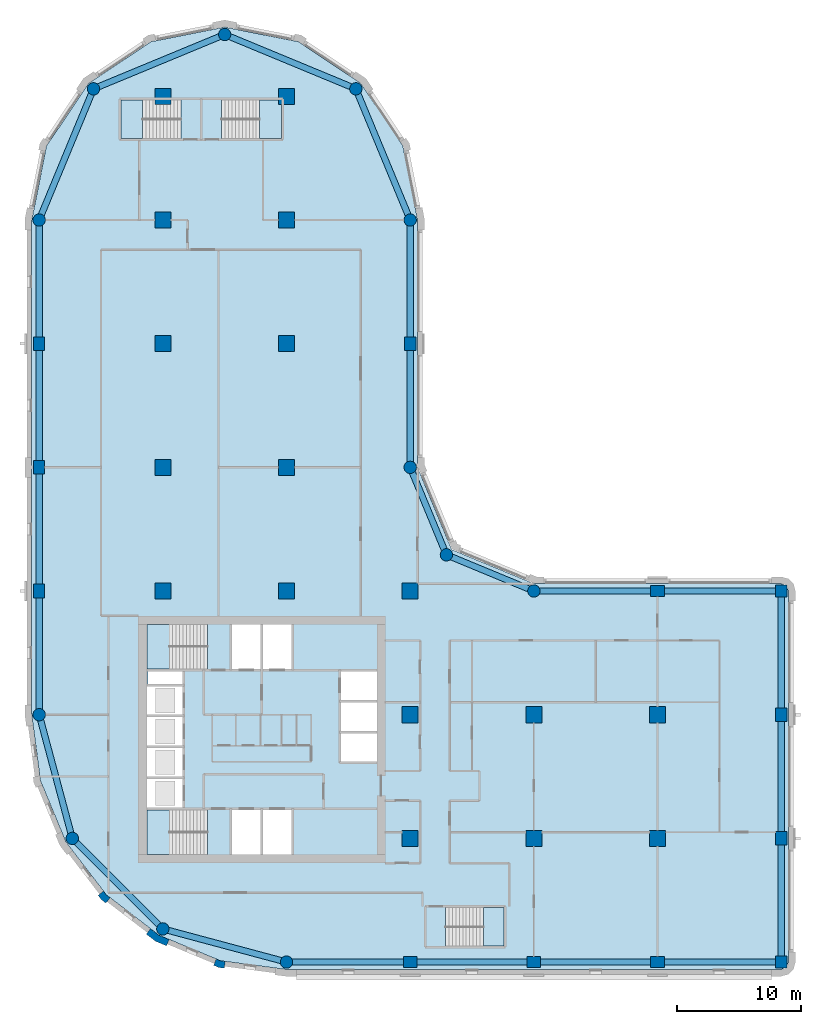
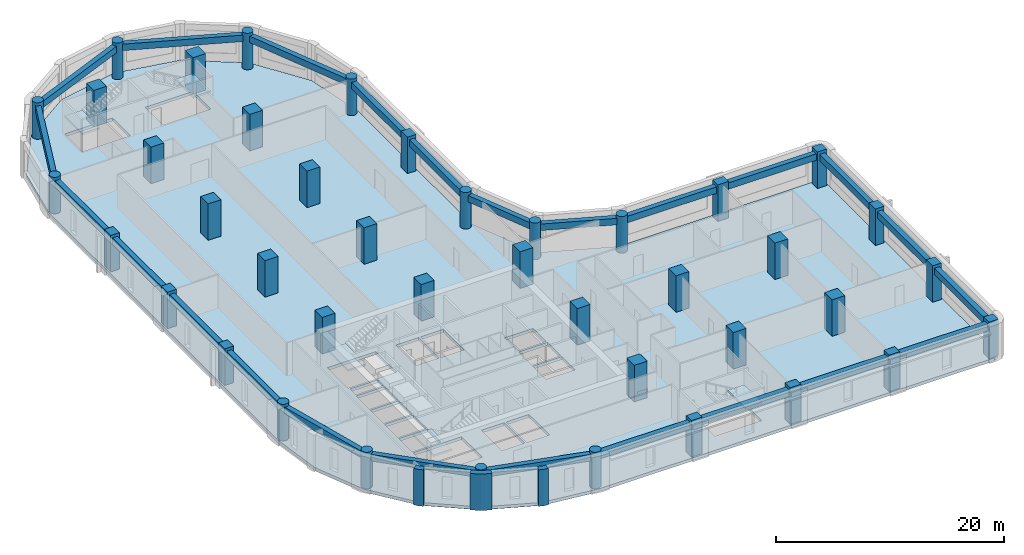
# One storey, part 1 of 10: 41 columns, 24 beams, 6 slabs, 3 walls, 5 elements without a shape of their own.
"""IFC4 building model written with IfcOpenShell, lengths in metres."""

from ifc_helpers import new_model, si_unit, direction, frame, origin, origin_2d, place, context, subcontext, project, spatial, polyline, rectangle, circle, outline, extrude, material, layer, layer_set, material_profile, profile_set, type_object, element, aggregate, save


model = new_model("IFC4")

# Units and contexts
model_context = context("Model", 3, precision=1e-05, world=origin(), true_north=direction((0.0, 1.0)))
body_context = subcontext(model_context, "Body", "Model", "MODEL_VIEW")
ifc_project = project(units=[si_unit("LENGTHUNIT", "METRE"), si_unit("AREAUNIT", "SQUARE_METRE"), si_unit("VOLUMEUNIT", "CUBIC_METRE"), si_unit("PLANEANGLEUNIT", "RADIAN"), si_unit("MASSUNIT", "GRAM", prefix="KILO")], contexts=[model_context])

# Site, building, storey
site_placement = place(None, origin())
site = spatial("IfcSite", under=ifc_project, at=site_placement, CompositionType="ELEMENT")
building_placement = place(site_placement, origin())
building = spatial("IfcBuilding", under=site, at=building_placement, Name="Qaws Garden Tower", CompositionType="ELEMENT")
storey_placement = place(building_placement, frame((0.0, 0.0, 182.39990234375)))
storey = spatial("IfcBuildingStorey", under=building, at=storey_placement, Name="L44", CompositionType="ELEMENT", Elevation=182.39990234375)

# Columns
ifc_material_1 = material(Name="Concrete C70", Category="concrete")
ifc_material_profile_1 = material_profile(ifc_material_1, rectangle(XDim=1.10009765625, YDim=0.89990234375, at=origin_2d()), Name="RC 1100x900")
ifc_profile_set_1 = profile_set([ifc_material_profile_1], Name="Concrete C70")
column_type_1 = type_object("IfcColumnType", Name="Column RC 1100x900 C70", PredefinedType="COLUMN", material=ifc_profile_set_1)
for number, where, z_axis, x_axis, name in (
    (1, (30.0, 0.0, 0.0), (0.0, 0.0, 1.0), (1.0, 0.0, 0.0), "Column L44-002"),
    (2, (40.0, 0.0, 0.0), (0.0, 0.0, 1.0), (1.0, 0.0, 0.0), "Column L44-003"),
    (3, (50.0, 0.0, 0.0), (0.0, 0.0, 1.0), (1.0, 0.0, 0.0), "Column L44-004"),
    (4, (60.0, 10.0, 0.0), (0.0, 0.0, 1.0), (0.0, 1.0, 0.0), "Column L44-006"),
    (5, (60.0, 20.0, 0.0), (0.0, 0.0, 1.0), (0.0, 1.0, 0.0), "Column L44-007"),
    (6, (50.0, 30.0, 0.0), (0.0, 0.0, 1.0), (1.0, 0.0, 0.0), "Column L44-009"),
    (7, (30.0, 50.0, 0.0), (0.0, 0.0, 1.0), (0.0, 1.0, 0.0), "Column L44-013"),
    (8, (0.0, 50.0, 0.0), (0.0, 0.0, 1.0), (0.0, 1.0, 0.0), "Column L44-019"),
    (9, (0.0, 40.0, 0.0), (0.0, 0.0, 1.0), (0.0, 1.0, 0.0), "Column L44-020"),
    (10, (0.0, 30.0, 0.0), (0.0, 0.0, 1.0), (0.0, 1.0, 0.0), "Column L44-021"),
):
    element("IfcColumn", number, at=place(storey_placement, frame(where, z_axis=z_axis, x_axis=x_axis)), inside=storey, type_object=column_type_1, Name=name, PredefinedType="COLUMN", context=body_context, shape_type="SweptSolid", body=[
        extrude(rectangle(XDim=1.10009765625, YDim=0.89990234375, at=origin_2d()), origin(), (0.0, 0.0, 1.0), 3.900146484375),
    ])
ifc_material_2 = material(Name="Concrete C70", Category="concrete")
ifc_material_profile_2 = material_profile(ifc_material_2, rectangle(XDim=1.300048828125, YDim=1.300048828125, at=origin_2d()), Name="RC 1300x1300")
ifc_profile_set_2 = profile_set([ifc_material_profile_2], Name="Concrete C70")
column_type_2 = type_object("IfcColumnType", Name="Column RC 1300x1300 C70", PredefinedType="COLUMN", material=ifc_profile_set_2)
for number, where, z_axis, x_axis, name in (
    (11, (10.0, 30.0, 0.0), (0.0, 0.0, 1.0), (1.0, 0.0, 0.0), "Column L44-025"),
    (12, (10.0, 40.0, 0.0), (0.0, 0.0, 1.0), (1.0, 0.0, 0.0), "Column L44-026"),
    (13, (10.0, 50.0, 0.0), (0.0, 0.0, 1.0), (1.0, 0.0, 0.0), "Column L44-027"),
    (14, (10.0, 60.0, 0.0), (0.0, 0.0, 1.0), (1.0, 0.0, 0.0), "Column L44-028"),
    (15, (10.0, 70.0, 0.0), (0.0, 0.0, 1.0), (1.0, 0.0, 0.0), "Column L44-029"),
    (16, (20.0, 30.0, 0.0), (0.0, 0.0, 1.0), (1.0, 0.0, 0.0), "Column L44-030"),
    (17, (20.0, 40.0, 0.0), (0.0, 0.0, 1.0), (1.0, 0.0, 0.0), "Column L44-031"),
    (18, (20.0, 50.0, 0.0), (0.0, 0.0, 1.0), (1.0, 0.0, 0.0), "Column L44-032"),
    (19, (20.0, 60.0, 0.0), (0.0, 0.0, 1.0), (1.0, 0.0, 0.0), "Column L44-033"),
    (20, (20.0, 70.0, 0.0), (0.0, 0.0, 1.0), (1.0, 0.0, 0.0), "Column L44-034"),
    (21, (30.0, 10.0, 0.0), (0.0, 0.0, 1.0), (1.0, 0.0, 0.0), "Column L44-035"),
    (22, (30.0, 20.0, 0.0), (0.0, 0.0, 1.0), (1.0, 0.0, 0.0), "Column L44-036"),
    (23, (30.0, 30.0, 0.0), (0.0, 0.0, 1.0), (1.0, 0.0, 0.0), "Column L44-037"),
    (24, (40.0, 10.0, 0.0), (0.0, 0.0, 1.0), (1.0, 0.0, 0.0), "Column L44-038"),
    (25, (40.0, 20.0, 0.0), (0.0, 0.0, 1.0), (1.0, 0.0, 0.0), "Column L44-039"),
    (26, (50.0, 10.0, 0.0), (0.0, 0.0, 1.0), (1.0, 0.0, 0.0), "Column L44-040"),
    (27, (50.0, 20.0, 0.0), (0.0, 0.0, 1.0), (1.0, 0.0, 0.0), "Column L44-041"),
):
    element("IfcColumn", number, at=place(storey_placement, frame(where, z_axis=z_axis, x_axis=x_axis)), inside=storey, type_object=column_type_2, Name=name, PredefinedType="COLUMN", context=body_context, shape_type="SweptSolid", body=[
        extrude(rectangle(XDim=1.300048828125, YDim=1.300048828125, at=origin_2d()), origin(), (0.0, 0.0, 1.0), 3.900146484375),
    ])
ifc_material_3 = material(Name="Concrete C70", Category="concrete")
ifc_material_profile_3 = material_profile(ifc_material_3, rectangle(XDim=0.949951171875, YDim=0.949951171875, at=origin_2d()), Name="RC 950x950")
ifc_profile_set_3 = profile_set([ifc_material_profile_3], Name="Concrete C70")
column_type_3 = type_object("IfcColumnType", Name="Column RC 950x950 C70", PredefinedType="COLUMN", material=ifc_profile_set_3)
for number, where, z_axis, x_axis, name in (
    (28, (60.0, 0.0, 0.0), (0.0, 0.0, 1.0), (1.0, 0.0, 0.0), "Column L44-005"),
    (29, (60.0, 30.0, 0.0), (0.0, 0.0, 1.0), (1.0, 0.0, 0.0), "Column L44-008"),
):
    element("IfcColumn", number, at=place(storey_placement, frame(where, z_axis=z_axis, x_axis=x_axis)), inside=storey, type_object=column_type_3, Name=name, PredefinedType="COLUMN", context=body_context, shape_type="SweptSolid", body=[
        extrude(rectangle(XDim=0.949951171875, YDim=0.949951171875, at=origin_2d()), origin(), (0.0, 0.0, 1.0), 3.900146484375),
    ])
ifc_material_4 = material(Name="Concrete C70", Category="concrete")
ifc_material_profile_4 = material_profile(ifc_material_4, circle(Radius=0.5, at=origin_2d()), Name="RC D1000")
ifc_profile_set_4 = profile_set([ifc_material_profile_4], Name="Concrete C70")
column_type_4 = type_object("IfcColumnType", Name="Column RC D1000 C70", PredefinedType="COLUMN", material=ifc_profile_set_4)
for number, where, z_axis, x_axis, name in (
    (30, (20.0, 0.0, 0.0), (0.0, 0.0, 1.0), (1.0, 0.0, 0.0), "Column L44-001"),
    (31, (40.0, 30.0, 0.0), (0.0, 0.0, 1.0), (1.0, 0.0, 0.0), "Column L44-010"),
    (32, (32.928955078125, 32.928955078125, 0.0), (0.0, 0.0, 1.0), (1.0, 0.0, 0.0), "Column L44-011"),
    (33, (30.0, 40.0, 0.0), (0.0, 0.0, 1.0), (1.0, 0.0, 0.0), "Column L44-012"),
    (34, (30.0, 60.0, 0.0), (0.0, 0.0, 1.0), (1.0, 0.0, 0.0), "Column L44-014"),
    (35, (25.606689453125, 70.606689453125, 0.0), (0.0, 0.0, 1.0), (1.0, 0.0, 0.0), "Column L44-015"),
    (36, (15.0, 75.0, 0.0), (0.0, 0.0, 1.0), (1.0, 0.0, 0.0), "Column L44-016"),
    (37, (4.393310546875, 70.606689453125, 0.0), (0.0, 0.0, 1.0), (1.0, 0.0, 0.0), "Column L44-017"),
    (38, (0.0, 60.0, 0.0), (0.0, 0.0, 1.0), (1.0, 0.0, 0.0), "Column L44-018"),
    (39, (0.0, 20.0, 0.0), (0.0, 0.0, 1.0), (1.0, 0.0, 0.0), "Column L44-022"),
    (40, (2.679443359375, 10.0, 0.0), (0.0, 0.0, 1.0), (1.0, 0.0, 0.0), "Column L44-023"),
    (41, (10.0, 2.679443359375, 0.0), (0.0, 0.0, 1.0), (1.0, 0.0, 0.0), "Column L44-024"),
):
    element("IfcColumn", number, at=place(storey_placement, frame(where, z_axis=z_axis, x_axis=x_axis)), inside=storey, type_object=column_type_4, Name=name, PredefinedType="COLUMN", context=body_context, shape_type="SweptSolid", body=[
        extrude(circle(Radius=0.5, at=origin_2d()), origin(), (0.0, 0.0, 1.0), 3.900146484375),
    ])

# Beams
ifc_material_5 = material(Name="Concrete C45", Category="concrete")
ifc_material_profile_5 = material_profile(ifc_material_5, rectangle(XDim=0.5, YDim=0.699951171875, at=origin_2d()), Name="RC 500x700")
ifc_profile_set_5 = profile_set([ifc_material_profile_5], Name="Concrete C45")
beam_type = type_object("IfcBeamType", Name="Spandrel beam RC 500x700 C45", PredefinedType="SPANDREL", material=ifc_profile_set_5)
for number, where, z_axis, x_axis, name in (
    (42, (20.0, 0.0, 3.22998046875), (1.0, 0.0, 0.0), (0.0, 1.0, 0.0), "Spandrel beam L44-001"),
    (43, (30.0, 0.0, 3.22998046875), (1.0, 0.0, 0.0), (0.0, 1.0, 0.0), "Spandrel beam L44-002"),
    (44, (40.0, 0.0, 3.22998046875), (1.0, 0.0, 0.0), (0.0, 1.0, 0.0), "Spandrel beam L44-003"),
    (45, (50.0, 0.0, 3.22998046875), (1.0, 0.0, 0.0), (0.0, 1.0, 0.0), "Spandrel beam L44-004"),
    (46, (60.0, 0.0, 3.22998046875), (0.0, 1.0, 0.0), (-1.0, 0.0, 0.0), "Spandrel beam L44-005"),
    (47, (60.0, 10.0, 3.22998046875), (0.0, 1.0, 0.0), (-1.0, 0.0, 0.0), "Spandrel beam L44-006"),
    (48, (60.0, 20.0, 3.22998046875), (0.0, 1.0, 0.0), (-1.0, 0.0, 0.0), "Spandrel beam L44-007"),
    (49, (60.0, 30.0, 3.22998046875), (-1.0, 0.0, 0.0), (0.0, -1.0, 0.0), "Spandrel beam L44-008"),
    (50, (50.0, 30.0, 3.22998046875), (-1.0, 0.0, 0.0), (0.0, -1.0, 0.0), "Spandrel beam L44-009"),
):
    element("IfcBeam", number, at=place(storey_placement, frame(where, z_axis=z_axis, x_axis=x_axis)), inside=storey, type_object=beam_type, Name=name, PredefinedType="SPANDREL", context=body_context, shape_type="SweptSolid", body=[
        extrude(rectangle(XDim=0.5, YDim=0.699951171875, at=origin_2d()), origin(), (0.0, 0.0, 1.0), 10.0),
    ])
for number, where, z_axis, x_axis, name in (
    (51, (40.0, 30.0, 3.22998046875), (-0.923878037141, 0.382687042488, 0.0), (-0.382687042488, -0.923878037141, 0.0), "Spandrel beam L44-010"),
    (52, (32.928955078125, 32.928955078125, 3.22998046875), (-0.382687042488, 0.923878037141, 0.0), (-0.923878037141, -0.382687042488, 0.0), "Spandrel beam L44-011"),
):
    element("IfcBeam", number, at=place(storey_placement, frame(where, z_axis=z_axis, x_axis=x_axis)), inside=storey, type_object=beam_type, Name=name, PredefinedType="SPANDREL", context=body_context, shape_type="SweptSolid", body=[
        extrude(rectangle(XDim=0.5, YDim=0.699951171875, at=origin_2d()), origin(), (0.0, 0.0, 1.0), 7.653564453125),
    ])
for number, where, z_axis, x_axis, name in (
    (53, (30.0, 40.0, 3.22998046875), (0.0, 1.0, 0.0), (-1.0, 0.0, 0.0), "Spandrel beam L44-012"),
    (54, (30.0, 50.0, 3.22998046875), (0.0, 1.0, 0.0), (-1.0, 0.0, 0.0), "Spandrel beam L44-013"),
):
    element("IfcBeam", number, at=place(storey_placement, frame(where, z_axis=z_axis, x_axis=x_axis)), inside=storey, type_object=beam_type, Name=name, PredefinedType="SPANDREL", context=body_context, shape_type="SweptSolid", body=[
        extrude(rectangle(XDim=0.5, YDim=0.699951171875, at=origin_2d()), origin(), (0.0, 0.0, 1.0), 10.0),
    ])
for number, where, z_axis, x_axis, name in (
    (55, (30.0, 60.0, 3.22998046875), (-0.382674207535, 0.923883353507, 0.0), (-0.923883353507, -0.382674207535, 0.0), "Spandrel beam L44-014"),
    (56, (25.606689453125, 70.606689453125, 3.22998046875), (-0.923883353507, 0.382674207535, 0.0), (-0.382674207535, -0.923883353507, 0.0), "Spandrel beam L44-015"),
    (57, (15.0, 75.0, 3.22998046875), (-0.923883353507, -0.382674207535, 0.0), (0.382674207535, -0.923883353507, 0.0), "Spandrel beam L44-016"),
    (58, (4.393310546875, 70.606689453125, 3.22998046875), (-0.382674207535, -0.923883353507, 0.0), (0.923883353507, -0.382674207535, 0.0), "Spandrel beam L44-017"),
):
    element("IfcBeam", number, at=place(storey_placement, frame(where, z_axis=z_axis, x_axis=x_axis)), inside=storey, type_object=beam_type, Name=name, PredefinedType="SPANDREL", context=body_context, shape_type="SweptSolid", body=[
        extrude(rectangle(XDim=0.5, YDim=0.699951171875, at=origin_2d()), origin(), (0.0, 0.0, 1.0), 11.48046875),
    ])
for number, where, z_axis, x_axis, name in (
    (59, (0.0, 60.0, 3.22998046875), (0.0, -1.0, 0.0), (1.0, 0.0, 0.0), "Spandrel beam L44-018"),
    (60, (0.0, 50.0, 3.22998046875), (0.0, -1.0, 0.0), (1.0, 0.0, 0.0), "Spandrel beam L44-019"),
    (61, (0.0, 40.0, 3.22998046875), (0.0, -1.0, 0.0), (1.0, 0.0, 0.0), "Spandrel beam L44-020"),
    (62, (0.0, 30.0, 3.22998046875), (0.0, -1.0, 0.0), (1.0, 0.0, 0.0), "Spandrel beam L44-021"),
):
    element("IfcBeam", number, at=place(storey_placement, frame(where, z_axis=z_axis, x_axis=x_axis)), inside=storey, type_object=beam_type, Name=name, PredefinedType="SPANDREL", context=body_context, shape_type="SweptSolid", body=[
        extrude(rectangle(XDim=0.5, YDim=0.699951171875, at=origin_2d()), origin(), (0.0, 0.0, 1.0), 10.0),
    ])
for number, where, z_axis, x_axis, name in (
    (63, (0.0, 20.0, 3.22998046875), (0.25881466832, -0.965926999034, 0.0), (0.965926999034, 0.25881466832, 0.0), "Spandrel beam L44-022"),
    (64, (2.679443359375, 10.0, 3.22998046875), (0.707106781187, -0.707106781187, 0.0), (0.707106781187, 0.707106781187, 0.0), "Spandrel beam L44-023"),
    (65, (10.0, 2.679443359375, 3.22998046875), (0.965926999034, -0.25881466832, 0.0), (0.25881466832, 0.965926999034, 0.0), "Spandrel beam L44-024"),
):
    element("IfcBeam", number, at=place(storey_placement, frame(where, z_axis=z_axis, x_axis=x_axis)), inside=storey, type_object=beam_type, Name=name, PredefinedType="SPANDREL", context=body_context, shape_type="SweptSolid", body=[
        extrude(rectangle(XDim=0.5, YDim=0.699951171875, at=origin_2d()), origin(), (0.0, 0.0, 1.0), 10.352783203125),
    ])

# Slab
ifc_material_6 = material(Name="Concrete C40", Category="concrete")
ifc_layer_1 = layer(ifc_material_6, 0.320068359375)
ifc_layer_set_1 = layer_set([ifc_layer_1], Name="Concrete C40")
slab_type_1 = type_object("IfcSlabType", Name="Floor slab 320 C40", PredefinedType="FLOOR", material=ifc_layer_set_1)
slab_1_placement = place(storey_placement, frame((0.0, 0.0, -0.31982421875)))
element("IfcSlab", 66, at=slab_1_placement, inside=storey, type_object=slab_type_1, Name="Floor slab L44", PredefinedType="FLOOR", context=body_context, shape_type="SweptSolid", body=[
    extrude(outline(polyline([(0.101806640625, 14.668212890625), (-0.60009765625, 20.0), (-0.60009765625, 30.60009765625), (-0.60009765625, 60.0), (-0.60009765625, 60.0), (0.58740234375, 65.969970703125), (3.968994140625, 71.031005859375), (9.030029296875, 74.41259765625), (15.0, 75.60009765625), (20.969970703125, 74.41259765625), (26.031005859375, 71.031005859375), (29.41259765625, 65.969970703125), (30.60009765625, 60.0), (30.60009765625, 40.0), (33.353271484375, 33.353271484375), (40.0, 30.60009765625), (60.0, 30.60009765625), (60.42431640625, 30.42431640625), (60.60009765625, 30.0), (60.60009765625, 0.0), (60.42431640625, -0.42431640625), (60.0, -0.60009765625), (30.60009765625, -0.60009765625), (20.0, -0.60009765625), (14.668212890625, 0.101806640625), (9.699951171875, 2.159912109375), (5.43359375, 5.43359375), (2.159912109375, 9.699951171875), (0.101806640625, 14.668212890625)]), holes=[polyline([(13.599609375, 12.300048828125), (8.699951171875, 12.300048828125), (8.699951171875, 8.699951171875), (13.599609375, 8.699951171875), (13.599609375, 12.300048828125)]), polyline([(17.89990234375, 12.300048828125), (15.60009765625, 12.300048828125), (15.60009765625, 8.699951171875), (17.89990234375, 8.699951171875), (17.89990234375, 12.300048828125)]), polyline([(11.60009765625, 14.800048828125), (8.699951171875, 14.800048828125), (8.699951171875, 12.5), (11.60009765625, 12.5), (11.60009765625, 14.800048828125)]), polyline([(11.60009765625, 17.300048828125), (8.699951171875, 17.300048828125), (8.699951171875, 15.0), (11.60009765625, 15.0), (11.60009765625, 17.300048828125)]), polyline([(11.60009765625, 19.800048828125), (8.699951171875, 19.800048828125), (8.699951171875, 17.5), (11.60009765625, 17.5), (11.60009765625, 19.800048828125)]), polyline([(11.60009765625, 22.300048828125), (8.699951171875, 22.300048828125), (8.699951171875, 20.0), (11.60009765625, 20.0), (11.60009765625, 22.300048828125)]), polyline([(11.60009765625, 23.5), (8.800048828125, 23.5), (8.800048828125, 22.5), (11.60009765625, 22.5), (11.60009765625, 23.5)]), polyline([(13.599609375, 27.300048828125), (8.699951171875, 27.300048828125), (8.699951171875, 23.699951171875), (13.599609375, 23.699951171875), (13.599609375, 27.300048828125)]), polyline([(11.449462890625, 69.699951171875), (6.60009765625, 69.699951171875), (6.60009765625, 66.60009765625), (11.449462890625, 66.60009765625), (11.449462890625, 69.699951171875)]), polyline([(37.60009765625, 4.39990234375), (32.8505859375, 4.39990234375), (32.8505859375, 1.300048828125), (37.60009765625, 1.300048828125), (37.60009765625, 4.39990234375)]), polyline([(20.39990234375, 12.300048828125), (18.10009765625, 12.300048828125), (18.10009765625, 8.699951171875), (20.39990234375, 8.699951171875), (20.39990234375, 12.300048828125)]), polyline([(27.300048828125, 18.5), (24.39990234375, 18.5), (24.39990234375, 16.199951171875), (27.300048828125, 16.199951171875), (27.300048828125, 18.5)]), polyline([(27.300048828125, 21.0), (24.39990234375, 21.0), (24.39990234375, 18.699951171875), (27.300048828125, 18.699951171875), (27.300048828125, 21.0)]), polyline([(27.300048828125, 23.5), (24.39990234375, 23.5), (24.39990234375, 21.199951171875), (27.300048828125, 21.199951171875), (27.300048828125, 23.5)]), polyline([(17.89990234375, 27.300048828125), (15.60009765625, 27.300048828125), (15.60009765625, 23.699951171875), (17.89990234375, 23.699951171875), (17.89990234375, 27.300048828125)]), polyline([(20.39990234375, 23.699951171875), (20.39990234375, 27.300048828125), (18.10009765625, 27.300048828125), (18.10009765625, 23.699951171875), (20.39990234375, 23.699951171875)]), polyline([(19.60009765625, 66.60009765625), (19.60009765625, 69.699951171875), (14.75048828125, 69.699951171875), (14.75048828125, 66.60009765625), (19.60009765625, 66.60009765625)])]), origin(), (0.0, 0.0, 1.0), 0.31982421875),
])

# Stair, slab
ifc_material_7 = material(Name="Concrete C40", Category="concrete")
stair_type_1 = type_object("IfcStairType", Name="Exit stair 1500", PredefinedType="HALF_TURN_STAIR", material=ifc_material_7)
placement_1 = place(storey_placement, origin())
stair_1 = element("IfcStair", 67, at=placement_1, inside=storey, type_object=stair_type_1, Name="Stair 1", PredefinedType="HALF_TURN_STAIR")
ifc_material_8 = material(Name="Concrete C40", Category="concrete")
ifc_layer_2 = layer(ifc_material_8, 0.199951171875)
ifc_layer_set_2 = layer_set([ifc_layer_2], Name="Concrete C40")
slab_type_2 = type_object("IfcSlabType", Name="Stair landing 200", PredefinedType="LANDING", material=ifc_layer_set_2)
placement_2 = place(storey_placement, frame((0.0, 0.0, 1.75)))
slab_2 = element("IfcSlab", 68, at=placement_2, type_object=slab_type_2, Name="ST1 landing 1", PredefinedType="LANDING", context=body_context, shape_type="SweptSolid", body=[
    extrude(outline(polyline([(8.699951171875, 8.699951171875), (10.52001953125, 8.699951171875), (10.52001953125, 12.300048828125), (8.699951171875, 12.300048828125), (8.699951171875, 8.699951171875)])), origin(), (0.0, 0.0, 1.0), 0.2001953125),
])
aggregate(stair_1, [slab_2])

stair_2 = element("IfcStair", 69, at=placement_1, inside=storey, type_object=stair_type_1, Name="Stair 4", PredefinedType="HALF_TURN_STAIR")
slab_3 = element("IfcSlab", 70, at=placement_2, type_object=slab_type_2, Name="ST4 landing 1", PredefinedType="LANDING", context=body_context, shape_type="SweptSolid", body=[
    extrude(outline(polyline([(8.699951171875, 23.699951171875), (10.52001953125, 23.699951171875), (10.52001953125, 27.300048828125), (8.699951171875, 27.300048828125), (8.699951171875, 23.699951171875)])), origin(), (0.0, 0.0, 1.0), 0.2001953125),
])
aggregate(stair_2, [slab_3])

ifc_material_9 = material(Name="Concrete C40", Category="concrete")
stair_type_2 = type_object("IfcStairType", Name="Exit stair 1350", PredefinedType="HALF_TURN_STAIR", material=ifc_material_9)
stair_3 = element("IfcStair", 71, at=placement_1, inside=storey, type_object=stair_type_2, Name="Stair 5", PredefinedType="HALF_TURN_STAIR")
slab_4 = element("IfcSlab", 72, at=placement_2, type_object=slab_type_2, Name="ST5 landing 1", PredefinedType="LANDING", context=body_context, shape_type="SweptSolid", body=[
    extrude(outline(polyline([(35.929931640625, 1.300048828125), (37.60009765625, 1.300048828125), (37.60009765625, 4.39990234375), (35.929931640625, 4.39990234375), (35.929931640625, 1.300048828125)])), origin(), (0.0, 0.0, 1.0), 0.2001953125),
])
aggregate(stair_3, [slab_4])

stair_4 = element("IfcStair", 73, at=placement_1, inside=storey, type_object=stair_type_2, Name="Stair 6", PredefinedType="HALF_TURN_STAIR")
slab_5 = element("IfcSlab", 74, at=placement_2, type_object=slab_type_2, Name="ST6 landing 1", PredefinedType="LANDING", context=body_context, shape_type="SweptSolid", body=[
    extrude(outline(polyline([(6.60009765625, 66.60009765625), (8.3701171875, 66.60009765625), (8.3701171875, 69.699951171875), (6.60009765625, 69.699951171875), (6.60009765625, 66.60009765625)])), origin(), (0.0, 0.0, 1.0), 0.2001953125),
])
aggregate(stair_4, [slab_5])

stair_5 = element("IfcStair", 75, at=placement_1, inside=storey, type_object=stair_type_2, Name="Stair 7", PredefinedType="HALF_TURN_STAIR")
slab_6 = element("IfcSlab", 76, at=placement_2, type_object=slab_type_2, Name="ST7 landing 1", PredefinedType="LANDING", context=body_context, shape_type="SweptSolid", body=[
    extrude(outline(polyline([(17.830078125, 66.60009765625), (19.60009765625, 66.60009765625), (19.60009765625, 69.699951171875), (17.830078125, 69.699951171875), (17.830078125, 66.60009765625)])), origin(), (0.0, 0.0, 1.0), 0.2001953125),
])
aggregate(stair_5, [slab_6])

# Walls
ifc_material_10 = material(Name="Clay facing brick masonry", Category="masonry")
ifc_layer_3 = layer(ifc_material_10, 0.550048828125)
ifc_layer_set_3 = layer_set([ifc_layer_3], Name="Clay facing brick masonry")
wall_type_1 = type_object("IfcWallType", Name="Brick kink pier 550 x 600", PredefinedType="SOLIDWALL", material=ifc_layer_set_3)
element("IfcWall", 77, at=placement_1, inside=storey, type_object=wall_type_1, Name="E-L44-pier-28", PredefinedType="SOLIDWALL", context=body_context, shape_type="SweptSolid", body=[
    extrude(outline(polyline([(4.8818359375, 5.487060546875), (4.762939453125, 5.395751953125), (5.03759765625, 5.03759765625), (5.395751953125, 4.762939453125), (5.487060546875, 4.8818359375), (5.730712890625, 5.19921875), (5.429931640625, 5.429931640625), (5.19921875, 5.730712890625), (4.8818359375, 5.487060546875)])), origin(), (0.0, 0.0, 1.0), 3.900146484375),
])
element("IfcWall", 78, at=placement_1, inside=storey, type_object=wall_type_1, Name="E-L44-pier-30", PredefinedType="SOLIDWALL", context=body_context, shape_type="SweptSolid", body=[
    extrude(outline(polyline([(14.163818359375, -0.127685546875), (14.1064453125, -0.26611328125), (14.5234375, -0.43896484375), (14.970947265625, -0.497802734375), (14.990478515625, -0.34912109375), (15.042724609375, 0.04736328125), (14.6669921875, 0.096923828125), (14.31689453125, 0.241943359375), (14.163818359375, -0.127685546875)])), origin(), (0.0, 0.0, 1.0), 3.900146484375),
])
ifc_material_11 = material(Name="Clay facing brick masonry", Category="masonry")
ifc_layer_4 = layer(ifc_material_11, 0.550048828125)
ifc_layer_set_4 = layer_set([ifc_layer_4], Name="Clay facing brick masonry")
wall_type_2 = type_object("IfcWallType", Name="Brick pier 550 x 1600", PredefinedType="SOLIDWALL", material=ifc_layer_set_4)
element("IfcWall", 79, at=placement_1, inside=storey, type_object=wall_type_2, Name="E-L44-pier-29", PredefinedType="SOLIDWALL", context=body_context, shape_type="SweptSolid", body=[
    extrude(outline(polyline([(8.756591796875, 2.373046875), (8.665283203125, 2.254150390625), (9.419921875, 1.675048828125), (10.299072265625, 1.310791015625), (10.3564453125, 1.449462890625), (10.509521484375, 1.819091796875), (9.697509765625, 2.1552734375), (9.0, 2.6904296875), (8.756591796875, 2.373046875)])), origin(), (0.0, 0.0, 1.0), 3.900146484375),
])

save(model, "model.ifc")
